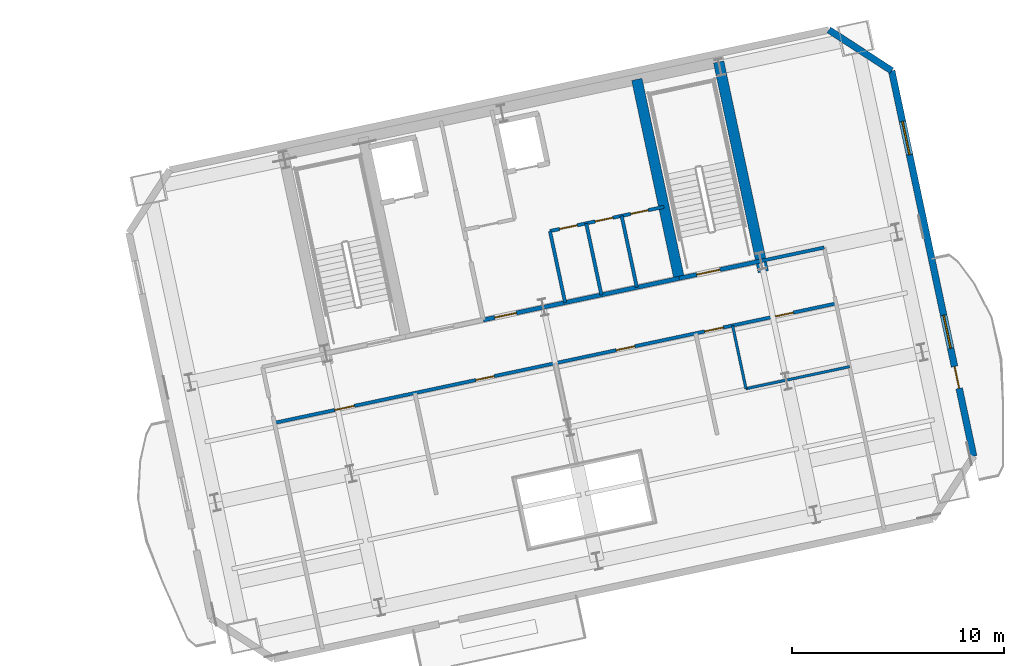
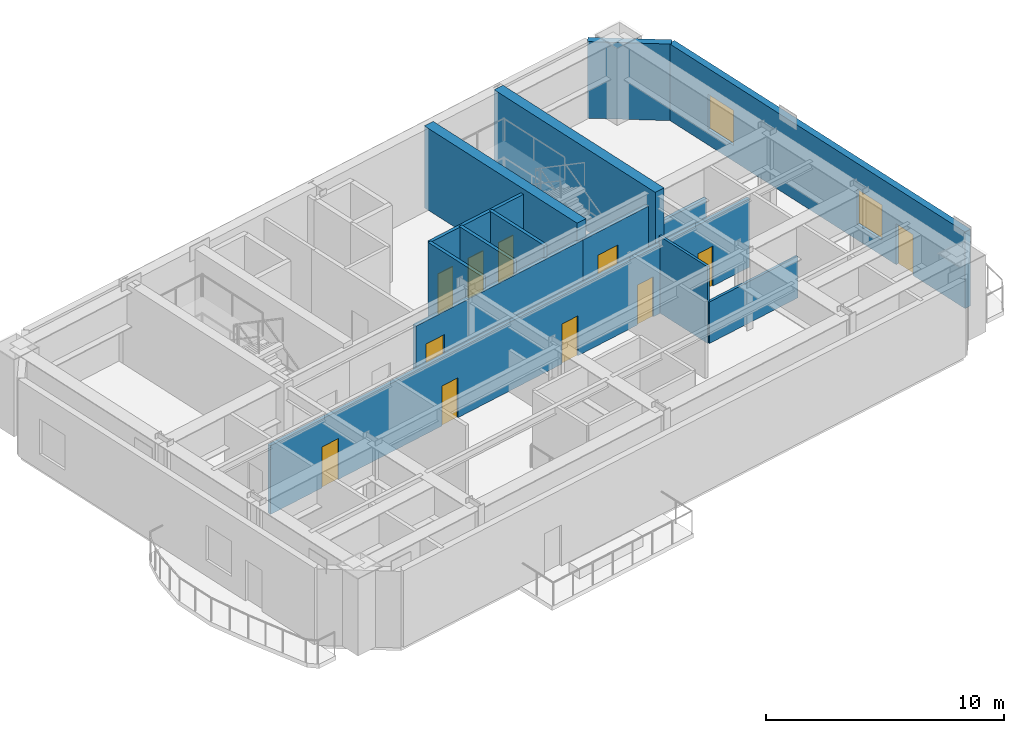
# One storey, part 10 of 15: 14 walls, 11 doors, 2 windows, 13 openings.
"""IFC4 building model written with IfcOpenShell, lengths in metres."""

from ifc_helpers import new_model, si_unit, direction, frame, frame_2d, origin, place, context, subcontext, project, spatial, rectangle, extrude, material, layer, layer_set, type_object, element, fill, save


model = new_model("IFC4")

# Units and contexts
model_context = context("Model", 3, precision=1e-05, world=origin(), true_north=direction((0.0, 1.0)))
body_context = subcontext(model_context, "Body", "Model", "MODEL_VIEW")
ifc_project = project(units=[si_unit("LENGTHUNIT", "METRE"), si_unit("AREAUNIT", "SQUARE_METRE"), si_unit("VOLUMEUNIT", "CUBIC_METRE"), si_unit("PLANEANGLEUNIT", "RADIAN"), si_unit("MASSUNIT", "GRAM", prefix="KILO")], contexts=[model_context])

# Site, building, storey
site_placement = place(None, origin())
site = spatial("IfcSite", under=ifc_project, at=site_placement, CompositionType="ELEMENT")
building_placement = place(site_placement, origin())
building = spatial("IfcBuilding", under=site, at=building_placement, Name="Haevon Station Towers", CompositionType="ELEMENT")
storey_placement = place(building_placement, frame((0.0, 0.0, 129.60009765625)))
storey = spatial("IfcBuildingStorey", under=building, at=storey_placement, Name="L35", CompositionType="ELEMENT", Elevation=129.60009765625)

# Wall, opening, door
ifc_material_1 = material(Name="Gypsum board on steel stud", Category="steel")
ifc_layer_1 = layer(ifc_material_1, 0.199951171875)
ifc_layer_set_1 = layer_set([ifc_layer_1], Name="Gypsum board on steel stud")
wall_type_1 = type_object("IfcWallType", Name="WL-COR200", PredefinedType="PARTITIONING", material=ifc_layer_set_1)
wall_1_placement = place(storey_placement, frame((115.4296875, 40.9873046875, 0.0), z_axis=(0.0, 0.0, 1.0), x_axis=(0.978146596989, 0.207916413008, 0.0)))
wall_1 = element("IfcWall", 1, at=wall_1_placement, inside=storey, type_object=wall_type_1, Name="WL-ST-ST4-L35", PredefinedType="PARTITIONING", context=body_context, shape_type="SweptSolid", body=[
    extrude(rectangle(XDim=3.9501953125, YDim=0.199951171875, at=frame_2d((1.97509765625, 0.0))), origin(), (0.0, 0.0, 1.0), 3.27978515625),
])
opening_1_placement = place(wall_1_placement, frame((0.85009765625, 0.0, 0.0)))
opening_1 = element("IfcOpeningElement", 2, at=opening_1_placement, cuts=wall_1, Name="Opening DR-ST-ST4-L35", PredefinedType="OPENING", context=body_context, shape_type="SweptSolid", body=[
    extrude(rectangle(XDim=1.1201171875, YDim=2.10009765625, at=frame_2d((0.56005859375, 1.050048828125))), frame((0.0, 0.10986328125, 0.0), z_axis=(0.0, -1.0, 0.0), x_axis=(1.0, 0.0, 0.0)), (0.0, 0.0, 1.0), 0.219970703125),
])
ifc_material_2 = material(Name="Engineered oak timber", Category="wood")
door_type_1 = type_object("IfcDoorType", Name="DR-ST-1120", OperationType="NOTDEFINED", PredefinedType="DOOR", material=ifc_material_2)
door_1_placement = place(opening_1_placement, origin())
door_1 = element("IfcDoor", 3, at=door_1_placement, inside=storey, type_object=door_type_1, Name="L35 Escape Stair ST4 Fire Door", OperationType="SINGLE_SWING_LEFT", OverallHeight=2.10009765625, OverallWidth=1.1201171875, PredefinedType="DOOR", context=body_context, shape_type="SweptSolid", body=[
    extrude(rectangle(XDim=1.1201171875, YDim=2.10009765625, at=frame_2d((0.56005859375, 1.050048828125))), frame((0.0, 0.02490234375, 0.0), z_axis=(0.0, -1.0, 0.0), x_axis=(1.0, 0.0, 0.0)), (0.0, 0.0, 1.0), 0.050048828125),
])
fill(opening_1, door_1)

wall_2_placement = place(storey_placement, frame((106.186279296875, 39.0224609375, 0.0), z_axis=(0.0, 0.0, 1.0), x_axis=(0.978145519981, 0.20792147975, 0.0)))
wall_2 = element("IfcWall", 4, at=wall_2_placement, inside=storey, type_object=wall_type_1, Name="WL-T2CLB-L35", PredefinedType="PARTITIONING", context=body_context, shape_type="SweptSolid", body=[
    extrude(rectangle(XDim=9.449951171875, YDim=0.199951171875, at=frame_2d((4.72509765625, 0.0))), origin(), (0.0, 0.0, 1.0), 3.27978515625),
])
opening_2_placement = place(wall_2_placement, frame((0.550048828125, 0.0, 0.0)))
opening_2 = element("IfcOpeningElement", 5, at=opening_2_placement, cuts=wall_2, Name="Opening DR-T2CLB-L35-1", PredefinedType="OPENING", context=body_context, shape_type="SweptSolid", body=[
    extrude(rectangle(XDim=1.050048828125, YDim=2.10009765625, at=frame_2d((0.52490234375, 1.050048828125))), frame((0.0, 0.10986328125, 0.0), z_axis=(0.0, -1.0, 0.0), x_axis=(1.0, 0.0, 0.0)), (0.0, 0.0, 1.0), 0.219970703125),
])
door_type_2 = type_object("IfcDoorType", Name="DR-FD60-1050", OperationType="NOTDEFINED", PredefinedType="DOOR", material=ifc_material_2)
door_2_placement = place(opening_2_placement, origin())
door_2 = element("IfcDoor", 6, at=door_2_placement, inside=storey, type_object=door_type_2, Name="L35 Tower 2 Core Lift Lobby Door 1", OperationType="SINGLE_SWING_RIGHT", OverallHeight=2.10009765625, OverallWidth=1.050048828125, PredefinedType="DOOR", context=body_context, shape_type="SweptSolid", body=[
    extrude(rectangle(XDim=1.050048828125, YDim=2.10009765625, at=frame_2d((0.52490234375, 1.050048828125))), frame((0.0, 0.02490234375, 0.0), z_axis=(0.0, -1.0, 0.0), x_axis=(1.0, 0.0, 0.0)), (0.0, 0.0, 1.0), 0.050048828125),
])
fill(opening_2, door_2)

# Walls
ifc_material_3 = material(Name="Concrete C60/75", Category="concrete")
ifc_layer_2 = layer(ifc_material_3, 0.5)
ifc_layer_set_2 = layer_set([ifc_layer_2], Name="Concrete C60/75")
wall_type_2 = type_object("IfcWallType", Name="WL-CR500", PredefinedType="SHEAR", material=ifc_layer_set_2)
wall_3_placement = place(storey_placement, frame((119.401611328125, 41.2998046875, 0.0), z_axis=(0.0, 0.0, 1.0), x_axis=(-0.207904342798, 0.978149162575, 0.0)))
element("IfcWall", 7, at=wall_3_placement, inside=storey, type_object=wall_type_2, Name="WL-T2CR-L35-E", PredefinedType="SHEAR", context=body_context, shape_type="SweptSolid", body=[
    extrude(rectangle(XDim=10.1201171875, YDim=0.5, at=frame_2d((5.06005859375, 0.0))), origin(), (0.0, 0.0, 1.0), 4.199951171875),
])
wall_4_placement = place(storey_placement, frame((115.4296875, 40.9873046875, 0.0), z_axis=(0.0, 0.0, 1.0), x_axis=(-0.207903162969, 0.978149413345, 0.0)))
element("IfcWall", 8, at=wall_4_placement, inside=storey, type_object=wall_type_2, Name="WL-T2CR-L35-M2", PredefinedType="SHEAR", context=body_context, shape_type="SweptSolid", body=[
    extrude(rectangle(XDim=9.599853515625, YDim=0.5, at=frame_2d((4.7998046875, 0.0))), origin(), (0.0, 0.0, 1.0), 4.199951171875),
])
ifc_material_4 = material(Name="Precast concrete C45/55", Category="concrete")
ifc_layer_3 = layer(ifc_material_4, 0.320068359375)
ifc_layer_set_3 = layer_set([ifc_layer_3], Name="Precast concrete C45/55")
wall_type_3 = type_object("IfcWallType", Name="WL-EXT-PIER320", PredefinedType="SOLIDWALL", material=ifc_layer_set_3)
wall_5_placement = place(storey_placement, frame((122.496337890625, 52.712646484375, 0.0), z_axis=(0.0, 0.0, 1.0), x_axis=(0.838672309694, -0.544636352948, 0.0)))
element("IfcWall", 9, at=wall_5_placement, inside=storey, type_object=wall_type_3, Name="WL-T2-L35-NEC", PredefinedType="SOLIDWALL", context=body_context, shape_type="SweptSolid", body=[
    extrude(rectangle(XDim=3.535400390625, YDim=0.320068359375, at=frame_2d((1.767578125, 0.0))), origin(), (0.0, 0.0, 1.0), 3.929931640625),
])

# Wall, openings, door, windows
wall_6_placement = place(storey_placement, frame((125.46142578125, 50.787109375, 0.0), z_axis=(0.0, 0.0, 1.0), x_axis=(0.207912600897, -0.97814740729, 0.0)))
wall_6 = element("IfcWall", 10, at=wall_6_placement, inside=storey, type_object=wall_type_3, Name="WL-T2-L35-E", PredefinedType="SOLIDWALL", context=body_context, shape_type="SweptSolid", body=[
    extrude(rectangle(XDim=18.60009765625, YDim=0.320068359375, at=frame_2d((9.300048828125, 0.0))), origin(), (0.0, 0.0, 1.0), 3.929931640625),
])
opening_3_placement = place(wall_6_placement, frame((14.27490234375, 0.0, 0.0)))
opening_3 = element("IfcOpeningElement", 11, at=opening_3_placement, cuts=wall_6, Name="Opening DR-T2-SCAL-L35-E", PredefinedType="OPENING", context=body_context, shape_type="SweptSolid", body=[
    extrude(rectangle(XDim=1.050048828125, YDim=2.10009765625, at=frame_2d((0.52490234375, 1.050048828125))), frame((0.0, 0.169921875, 0.0), z_axis=(0.0, -1.0, 0.0), x_axis=(1.0, 0.0, 0.0)), (0.0, 0.0, 1.0), 0.340087890625),
])
opening_4_placement = place(wall_6_placement, frame((2.449951171875, 0.0, 0.800048828125)))
opening_4 = element("IfcOpeningElement", 12, at=opening_4_placement, cuts=wall_6, Name="Opening WN-END160", PredefinedType="OPENING", context=body_context, shape_type="SweptSolid", body=[
    extrude(rectangle(XDim=1.60009765625, YDim=1.800048828125, at=frame_2d((0.800048828125, 0.89990234375))), frame((0.0, 0.169921875, 0.0), z_axis=(0.0, -1.0, 0.0), x_axis=(1.0, 0.0, 0.0)), (0.0, 0.0, 1.0), 0.340087890625),
])
opening_5_placement = place(wall_6_placement, frame((11.800048828125, 0.0, 0.800048828125)))
opening_5 = element("IfcOpeningElement", 13, at=opening_5_placement, cuts=wall_6, Name="Opening WN-END160", PredefinedType="OPENING", context=body_context, shape_type="SweptSolid", body=[
    extrude(rectangle(XDim=1.60009765625, YDim=1.800048828125, at=frame_2d((0.800048828125, 0.89990234375))), frame((0.0, 0.169921875, 0.0), z_axis=(0.0, -1.0, 0.0), x_axis=(1.0, 0.0, 0.0)), (0.0, 0.0, 1.0), 0.340087890625),
])
ifc_material_5 = material(Name="Thermally broken anodised aluminium and laminated safety glass", Category="aluminium")
door_type_3 = type_object("IfcDoorType", Name="DR-BALC-1050", OperationType="NOTDEFINED", PredefinedType="DOOR", material=ifc_material_5)
door_3_placement = place(opening_3_placement, origin())
door_3 = element("IfcDoor", 14, at=door_3_placement, inside=storey, type_object=door_type_3, Name="Tower 2 L35 East Scalloped Balcony Door", OperationType="SINGLE_SWING_RIGHT", OverallHeight=2.10009765625, OverallWidth=1.050048828125, PredefinedType="DOOR", context=body_context, shape_type="SweptSolid", body=[
    extrude(rectangle(XDim=1.050048828125, YDim=2.10009765625, at=frame_2d((0.52490234375, 1.050048828125))), frame((0.0, 0.02490234375, 0.0), z_axis=(0.0, -1.0, 0.0), x_axis=(1.0, 0.0, 0.0)), (0.0, 0.0, 1.0), 0.050048828125),
])
fill(opening_3, door_3)
ifc_material_6 = material(Name="Low-E triple glazing in thermally broken aluminium", Category="aluminium")
window_type = type_object("IfcWindowType", Name="WN-END160", PartitioningType="SINGLE_PANEL", PredefinedType="WINDOW", material=ifc_material_6)
window_1_placement = place(opening_4_placement, origin())
window_1 = element("IfcWindow", 15, at=window_1_placement, inside=storey, type_object=window_type, Name="WN-T2-L35-E01", OverallHeight=1.800048828125, OverallWidth=1.60009765625, PartitioningType="SINGLE_PANEL", PredefinedType="WINDOW", context=body_context, shape_type="SweptSolid", body=[
    extrude(rectangle(XDim=1.60009765625, YDim=1.800048828125, at=frame_2d((0.800048828125, 0.89990234375))), frame((0.0, 0.030029296875, 0.0), z_axis=(0.0, -1.0, 0.0), x_axis=(1.0, 0.0, 0.0)), (0.0, 0.0, 1.0), 0.06005859375),
])
fill(opening_4, window_1)
window_2_placement = place(opening_5_placement, origin())
window_2 = element("IfcWindow", 16, at=window_2_placement, inside=storey, type_object=window_type, Name="WN-T2-L35-E02", OverallHeight=1.800048828125, OverallWidth=1.60009765625, PartitioningType="SINGLE_PANEL", PredefinedType="WINDOW", context=body_context, shape_type="SweptSolid", body=[
    extrude(rectangle(XDim=1.60009765625, YDim=1.800048828125, at=frame_2d((0.800048828125, 0.89990234375))), frame((0.0, 0.030029296875, 0.0), z_axis=(0.0, -1.0, 0.0), x_axis=(1.0, 0.0, 0.0)), (0.0, 0.0, 1.0), 0.06005859375),
])
fill(opening_5, window_2)

# Walls
ifc_layer_4 = layer(ifc_material_1, 0.125)
ifc_layer_set_4 = layer_set([ifc_layer_4], Name="Gypsum board on steel stud")
wall_type_4 = type_object("IfcWallType", Name="WL-PRT125", PredefinedType="PARTITIONING", material=ifc_layer_set_4)
wall_7_placement = place(storey_placement, frame((118.58642578125, 35.77978515625, 0.0), z_axis=(0.0, 0.0, 1.0), x_axis=(0.978146551768, 0.207916625754, 0.0)))
element("IfcWall", 17, at=wall_7_placement, inside=storey, type_object=wall_type_4, Name="WL-T2PT-L35-14", PredefinedType="PARTITIONING", context=body_context, shape_type="SweptSolid", body=[
    extrude(rectangle(XDim=4.9951171875, YDim=0.125, at=frame_2d((2.49755859375, 0.0))), origin(), (0.0, 0.0, 1.0), 2.1298828125),
])
wall_8_placement = place(storey_placement, frame((118.58642578125, 35.77978515625, 0.0), z_axis=(0.0, 0.0, 1.0), x_axis=(-0.207877902534, 0.978154782045, 0.0)))
element("IfcWall", 18, at=wall_8_placement, inside=storey, type_object=wall_type_4, Name="WL-T2PT-L35-15", PredefinedType="PARTITIONING", context=body_context, shape_type="SweptSolid", body=[
    extrude(rectangle(XDim=3.050048828125, YDim=0.125, at=frame_2d((1.52490234375, 0.0))), origin(), (0.0, 0.0, 1.0), 3.929931640625),
])
ifc_layer_5 = layer(ifc_material_1, 0.159912109375)
ifc_layer_set_5 = layer_set([ifc_layer_5], Name="Gypsum board on steel stud")
wall_type_5 = type_object("IfcWallType", Name="WL-PRT160", PredefinedType="PARTITIONING", material=ifc_layer_set_5)
for number, where, z_axis, x_axis, name in (
    (19, (110.050048828125, 39.84375, 0.0), (0.0, 0.0, 1.0), (-0.207900225061, 0.978150037785, 0.0), "WL-T2CW-L35-05"),
    (20, (111.76171875, 40.20751953125, 0.0), (0.0, 0.0, 1.0), (-0.207900225061, 0.978150037785, 0.0), "WL-T2CW-L35-06"),
):
    element("IfcWall", number, at=place(storey_placement, frame(where, z_axis=z_axis, x_axis=x_axis)), inside=storey, type_object=wall_type_5, Name=name, PredefinedType="PARTITIONING", context=body_context, shape_type="SweptSolid", body=[
        extrude(rectangle(XDim=3.4501953125, YDim=0.159912109375, at=frame_2d((1.72509765625, 0.0))), origin(), (0.0, 0.0, 1.0), 3.929931640625),
    ])
wall_9_placement = place(storey_placement, frame((113.434326171875, 40.563232421875, 0.0), z_axis=(0.0, 0.0, 1.0), x_axis=(-0.207914616127, 0.978146978935, 0.0)))
element("IfcWall", 21, at=wall_9_placement, inside=storey, type_object=wall_type_5, Name="WL-T2CW-L35-07", PredefinedType="PARTITIONING", context=body_context, shape_type="SweptSolid", body=[
    extrude(rectangle(XDim=3.449951171875, YDim=0.159912109375, at=frame_2d((1.72509765625, 0.0))), origin(), (0.0, 0.0, 1.0), 3.929931640625),
])

# Wall, openings, doors
wall_10_placement = place(storey_placement, frame((109.332763671875, 43.218505859375, 0.0), z_axis=(0.0, 0.0, 1.0), x_axis=(0.978153773776, 0.207882646816, 0.0)))
wall_10 = element("IfcWall", 22, at=wall_10_placement, inside=storey, type_object=wall_type_5, Name="WL-T2CW-L35-08", PredefinedType="PARTITIONING", context=body_context, shape_type="SweptSolid", body=[
    extrude(rectangle(XDim=5.499755859375, YDim=0.159912109375, at=frame_2d((2.75, 0.0))), origin(), (0.0, 0.0, 1.0), 3.929931640625),
])
opening_6_placement = place(wall_10_placement, frame((0.469970703125, 0.0, 0.0)))
opening_6 = element("IfcOpeningElement", 23, at=opening_6_placement, cuts=wall_10, Name="Opening DR-WL-T2CW-L35-08-1", PredefinedType="OPENING", context=body_context, shape_type="SweptSolid", body=[
    extrude(rectangle(XDim=0.85009765625, YDim=2.050048828125, at=frame_2d((0.425048828125, 1.02490234375))), frame((0.0, 0.08984375, 0.0), z_axis=(0.0, -1.0, 0.0), x_axis=(1.0, 0.0, 0.0)), (0.0, 0.0, 1.0), 0.179931640625),
])
opening_7_placement = place(wall_10_placement, frame((2.179931640625, 0.0, 0.0)))
opening_7 = element("IfcOpeningElement", 24, at=opening_7_placement, cuts=wall_10, Name="Opening DR-WL-T2CW-L35-08-2", PredefinedType="OPENING", context=body_context, shape_type="SweptSolid", body=[
    extrude(rectangle(XDim=0.85009765625, YDim=2.050048828125, at=frame_2d((0.425048828125, 1.02490234375))), frame((0.0, 0.08984375, 0.0), z_axis=(0.0, -1.0, 0.0), x_axis=(1.0, 0.0, 0.0)), (0.0, 0.0, 1.0), 0.179931640625),
])
opening_8_placement = place(wall_10_placement, frame((3.89501953125, 0.0, 0.0)))
opening_8 = element("IfcOpeningElement", 25, at=opening_8_placement, cuts=wall_10, Name="Opening DR-WL-T2CW-L35-08-3", PredefinedType="OPENING", context=body_context, shape_type="SweptSolid", body=[
    extrude(rectangle(XDim=0.85009765625, YDim=2.050048828125, at=frame_2d((0.425048828125, 1.02490234375))), frame((0.0, 0.08984375, 0.0), z_axis=(0.0, -1.0, 0.0), x_axis=(1.0, 0.0, 0.0)), (0.0, 0.0, 1.0), 0.179931640625),
])
door_type_4 = type_object("IfcDoorType", Name="DR-FD30-850", OperationType="NOTDEFINED", PredefinedType="DOOR", material=ifc_material_2)
door_4_placement = place(opening_6_placement, origin())
door_4 = element("IfcDoor", 26, at=door_4_placement, inside=storey, type_object=door_type_4, Name="L35 Tower 2 Core Room Door 8-1", OperationType="SINGLE_SWING_RIGHT", OverallHeight=2.050048828125, OverallWidth=0.85009765625, PredefinedType="DOOR", context=body_context, shape_type="SweptSolid", body=[
    extrude(rectangle(XDim=0.85009765625, YDim=2.050048828125, at=frame_2d((0.425048828125, 1.02490234375))), frame((0.0, 0.02490234375, 0.0), z_axis=(0.0, -1.0, 0.0), x_axis=(1.0, 0.0, 0.0)), (0.0, 0.0, 1.0), 0.050048828125),
])
fill(opening_6, door_4)
door_5_placement = place(opening_7_placement, origin())
door_5 = element("IfcDoor", 27, at=door_5_placement, inside=storey, type_object=door_type_4, Name="L35 Tower 2 Core Room Door 8-2", OperationType="SINGLE_SWING_LEFT", OverallHeight=2.050048828125, OverallWidth=0.85009765625, PredefinedType="DOOR", context=body_context, shape_type="SweptSolid", body=[
    extrude(rectangle(XDim=0.85009765625, YDim=2.050048828125, at=frame_2d((0.425048828125, 1.02490234375))), frame((0.0, 0.02490234375, 0.0), z_axis=(0.0, -1.0, 0.0), x_axis=(1.0, 0.0, 0.0)), (0.0, 0.0, 1.0), 0.050048828125),
])
fill(opening_7, door_5)
door_6_placement = place(opening_8_placement, origin())
door_6 = element("IfcDoor", 28, at=door_6_placement, inside=storey, type_object=door_type_4, Name="L35 Tower 2 Core Room Door 8-3", OperationType="SINGLE_SWING_RIGHT", OverallHeight=2.050048828125, OverallWidth=0.85009765625, PredefinedType="DOOR", context=body_context, shape_type="SweptSolid", body=[
    extrude(rectangle(XDim=0.85009765625, YDim=2.050048828125, at=frame_2d((0.425048828125, 1.02490234375))), frame((0.0, 0.02490234375, 0.0), z_axis=(0.0, -1.0, 0.0), x_axis=(1.0, 0.0, 0.0)), (0.0, 0.0, 1.0), 0.050048828125),
])
fill(opening_8, door_6)

# Wall
wall_11_placement = place(storey_placement, frame((119.29345703125, 41.80859375, 0.0), z_axis=(0.0, 0.0, 1.0), x_axis=(0.978154782045, 0.207877902534, 0.0)))
element("IfcWall", 29, at=wall_11_placement, inside=storey, type_object=wall_type_5, Name="WL-T2PT-L35-02", PredefinedType="PARTITIONING", context=body_context, shape_type="SweptSolid", body=[
    extrude(rectangle(XDim=3.050048828125, YDim=0.159912109375, at=frame_2d((1.52490234375, 0.0))), origin(), (0.0, 0.0, 1.0), 2.1298828125),
])

# Wall, openings, doors
wall_12_placement = place(storey_placement, frame((96.330322265625, 34.167236328125, 0.0), z_axis=(0.0, 0.0, 1.0), x_axis=(0.978146760223, 0.207915645071, 0.0)))
wall_12 = element("IfcWall", 30, at=wall_12_placement, inside=storey, type_object=wall_type_5, Name="WL-T2PT-L35-16", PredefinedType="PARTITIONING", context=body_context, shape_type="SweptSolid", body=[
    extrude(rectangle(XDim=27.10009765625, YDim=0.159912109375, at=frame_2d((13.550048828125, 0.0))), origin(), (0.0, 0.0, 1.0), 3.52978515625),
])
opening_9_placement = place(wall_12_placement, frame((2.912109375, 0.0, 0.0)))
opening_9 = element("IfcOpeningElement", 31, at=opening_9_placement, cuts=wall_12, Name="Opening DR-WL-T2PT-L35-16-01", PredefinedType="OPENING", context=body_context, shape_type="SweptSolid", body=[
    extrude(rectangle(XDim=0.949951171875, YDim=2.10009765625, at=frame_2d((0.47509765625, 1.050048828125))), frame((0.0, 0.08984375, 0.0), z_axis=(0.0, -1.0, 0.0), x_axis=(1.0, 0.0, 0.0)), (0.0, 0.0, 1.0), 0.179931640625),
])
opening_10_placement = place(wall_12_placement, frame((9.712890625, 0.0, 0.0)))
opening_10 = element("IfcOpeningElement", 32, at=opening_10_placement, cuts=wall_12, Name="Opening DR-WL-T2PT-L35-16-02", PredefinedType="OPENING", context=body_context, shape_type="SweptSolid", body=[
    extrude(rectangle(XDim=0.89990234375, YDim=2.050048828125, at=frame_2d((0.449951171875, 1.02490234375))), frame((0.0, 0.08984375, 0.0), z_axis=(0.0, -1.0, 0.0), x_axis=(1.0, 0.0, 0.0)), (0.0, 0.0, 1.0), 0.179931640625),
])
opening_11_placement = place(wall_12_placement, frame((16.488037109375, 0.0, 0.0)))
opening_11 = element("IfcOpeningElement", 33, at=opening_11_placement, cuts=wall_12, Name="Opening DR-WL-T2PT-L35-16-03", PredefinedType="OPENING", context=body_context, shape_type="SweptSolid", body=[
    extrude(rectangle(XDim=0.89990234375, YDim=2.050048828125, at=frame_2d((0.449951171875, 1.02490234375))), frame((0.0, 0.08984375, 0.0), z_axis=(0.0, -1.0, 0.0), x_axis=(1.0, 0.0, 0.0)), (0.0, 0.0, 1.0), 0.179931640625),
])
opening_12_placement = place(wall_12_placement, frame((24.177001953125, 0.0, 0.0)))
opening_12 = element("IfcOpeningElement", 34, at=opening_12_placement, cuts=wall_12, Name="Opening DR-WL-T2PT-L35-16-04", PredefinedType="OPENING", context=body_context, shape_type="SweptSolid", body=[
    extrude(rectangle(XDim=0.85009765625, YDim=2.050048828125, at=frame_2d((0.425048828125, 1.02490234375))), frame((0.0, 0.08984375, 0.0), z_axis=(0.0, -1.0, 0.0), x_axis=(1.0, 0.0, 0.0)), (0.0, 0.0, 1.0), 0.179931640625),
])
opening_13_placement = place(wall_12_placement, frame((20.764892578125, 0.0, 0.0)))
opening_13 = element("IfcOpeningElement", 35, at=opening_13_placement, cuts=wall_12, Name="Opening DR-WL-T2PT-L35-16-05", PredefinedType="OPENING", context=body_context, shape_type="SweptSolid", body=[
    extrude(rectangle(XDim=0.89990234375, YDim=2.050048828125, at=frame_2d((0.449951171875, 1.02490234375))), frame((0.0, 0.08984375, 0.0), z_axis=(0.0, -1.0, 0.0), x_axis=(1.0, 0.0, 0.0)), (0.0, 0.0, 1.0), 0.179931640625),
])
door_7_placement = place(opening_12_placement, origin())
door_7 = element("IfcDoor", 36, at=door_7_placement, inside=storey, type_object=door_type_4, Name="L35 Tower 2 Room Door 16-4", OperationType="SINGLE_SWING_RIGHT", OverallHeight=2.050048828125, OverallWidth=0.85009765625, PredefinedType="DOOR", context=body_context, shape_type="SweptSolid", body=[
    extrude(rectangle(XDim=0.85009765625, YDim=2.050048828125, at=frame_2d((0.425048828125, 1.02490234375))), frame((0.0, 0.02490234375, 0.0), z_axis=(0.0, -1.0, 0.0), x_axis=(1.0, 0.0, 0.0)), (0.0, 0.0, 1.0), 0.050048828125),
])
fill(opening_12, door_7)
door_type_5 = type_object("IfcDoorType", Name="DR-FD30-950", OperationType="NOTDEFINED", PredefinedType="DOOR", material=ifc_material_2)
door_8_placement = place(opening_9_placement, origin())
door_8 = element("IfcDoor", 37, at=door_8_placement, inside=storey, type_object=door_type_5, Name="L35 Tower 2 Room Door 16-1", OperationType="SINGLE_SWING_LEFT", OverallHeight=2.10009765625, OverallWidth=0.949951171875, PredefinedType="DOOR", context=body_context, shape_type="SweptSolid", body=[
    extrude(rectangle(XDim=0.949951171875, YDim=2.10009765625, at=frame_2d((0.47509765625, 1.050048828125))), frame((0.0, 0.02490234375, 0.0), z_axis=(0.0, -1.0, 0.0), x_axis=(1.0, 0.0, 0.0)), (0.0, 0.0, 1.0), 0.050048828125),
])
fill(opening_9, door_8)
door_type_6 = type_object("IfcDoorType", Name="DR-INT-900", OperationType="NOTDEFINED", PredefinedType="DOOR", material=ifc_material_2)
door_9_placement = place(opening_10_placement, origin())
door_9 = element("IfcDoor", 38, at=door_9_placement, inside=storey, type_object=door_type_6, Name="L35 Tower 2 Room Door 16-2", OperationType="SINGLE_SWING_RIGHT", OverallHeight=2.050048828125, OverallWidth=0.89990234375, PredefinedType="DOOR", context=body_context, shape_type="SweptSolid", body=[
    extrude(rectangle(XDim=0.89990234375, YDim=2.050048828125, at=frame_2d((0.449951171875, 1.02490234375))), frame((0.0, 0.02490234375, 0.0), z_axis=(0.0, -1.0, 0.0), x_axis=(1.0, 0.0, 0.0)), (0.0, 0.0, 1.0), 0.050048828125),
])
fill(opening_10, door_9)
door_10_placement = place(opening_11_placement, origin())
door_10 = element("IfcDoor", 39, at=door_10_placement, inside=storey, type_object=door_type_6, Name="L35 Tower 2 Room Door 16-3", OperationType="SINGLE_SWING_LEFT", OverallHeight=2.050048828125, OverallWidth=0.89990234375, PredefinedType="DOOR", context=body_context, shape_type="SweptSolid", body=[
    extrude(rectangle(XDim=0.89990234375, YDim=2.050048828125, at=frame_2d((0.449951171875, 1.02490234375))), frame((0.0, 0.02490234375, 0.0), z_axis=(0.0, -1.0, 0.0), x_axis=(1.0, 0.0, 0.0)), (0.0, 0.0, 1.0), 0.050048828125),
])
fill(opening_11, door_10)
door_11_placement = place(opening_13_placement, origin())
door_11 = element("IfcDoor", 40, at=door_11_placement, inside=storey, type_object=door_type_6, Name="L35 Tower 2 Room Door 16-5", OperationType="SINGLE_SWING_LEFT", OverallHeight=2.050048828125, OverallWidth=0.89990234375, PredefinedType="DOOR", context=body_context, shape_type="SweptSolid", body=[
    extrude(rectangle(XDim=0.89990234375, YDim=2.050048828125, at=frame_2d((0.449951171875, 1.02490234375))), frame((0.0, 0.02490234375, 0.0), z_axis=(0.0, -1.0, 0.0), x_axis=(1.0, 0.0, 0.0)), (0.0, 0.0, 1.0), 0.050048828125),
])
fill(opening_13, door_11)

save(model, "model.ifc")
